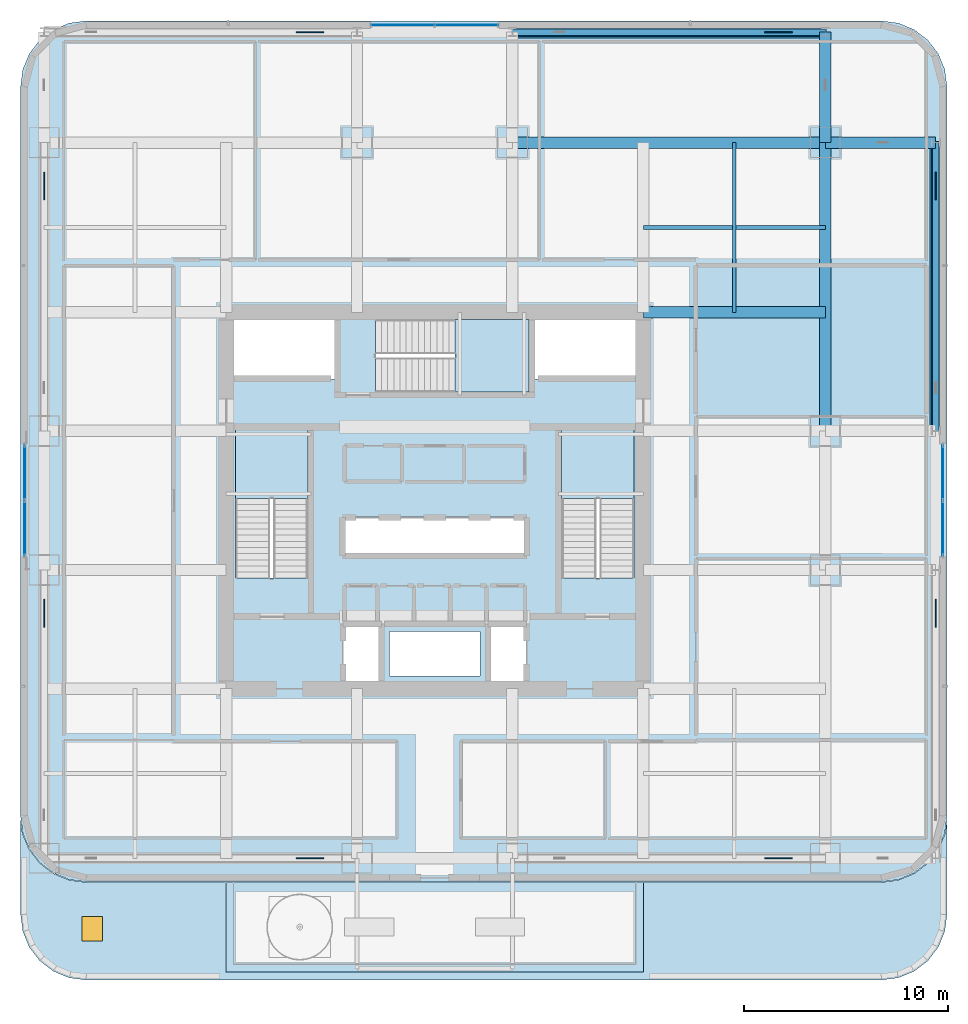
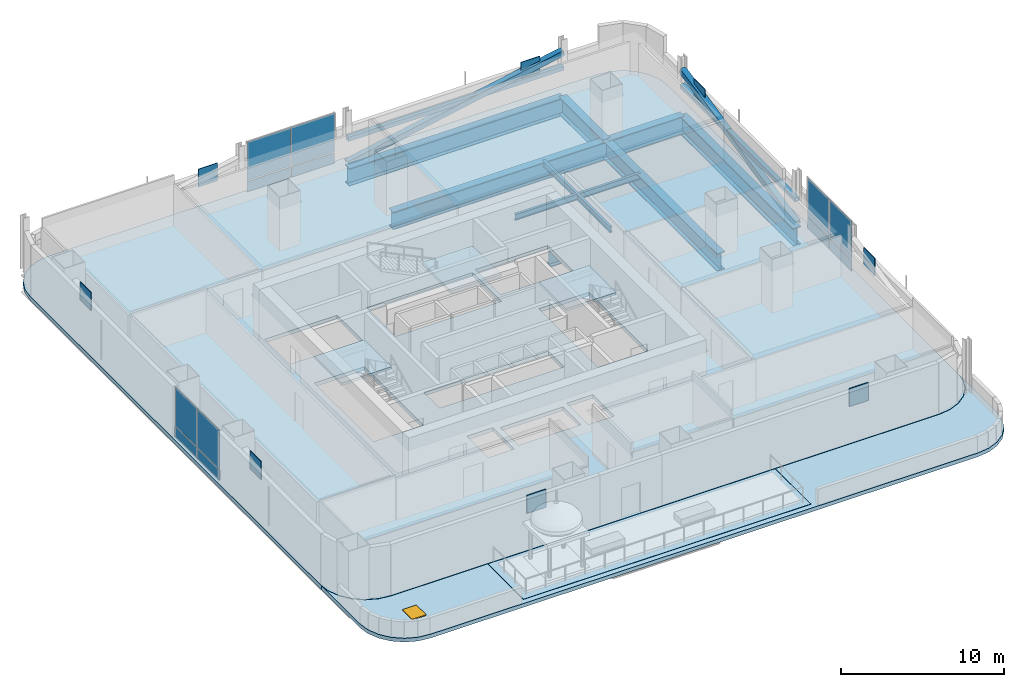
# One storey, part 7 of 28: 20 plates, 9 beams, 6 slabs, 4 members, 1 door, 1 opening, 6 elements without a shape of their own.
"""IFC4 building model written with IfcOpenShell, lengths in metres."""

from ifc_helpers import new_model, si_unit, direction, frame, origin, origin_2d, place, context, subcontext, project, spatial, polyline, rectangle, hollow_rectangle, i_section, outline, extrude, material, layer, layer_set, material_profile, profile_set, type_object, element, fill, aggregate, save


model = new_model("IFC4")

# Units and contexts
model_context = context("Model", 3, precision=1e-05, world=origin(), true_north=direction((0.0, 1.0)))
body_context = subcontext(model_context, "Body", "Model", "MODEL_VIEW")
ifc_project = project(units=[si_unit("LENGTHUNIT", "METRE"), si_unit("AREAUNIT", "SQUARE_METRE"), si_unit("VOLUMEUNIT", "CUBIC_METRE"), si_unit("PLANEANGLEUNIT", "RADIAN"), si_unit("MASSUNIT", "GRAM", prefix="KILO")], contexts=[model_context])

# Site, building, storey
site_placement = place(None, origin())
site = spatial("IfcSite", under=ifc_project, at=site_placement, CompositionType="ELEMENT")
building_placement = place(site_placement, origin())
building = spatial("IfcBuilding", under=site, at=building_placement, Name="Punatoya Terracotta Tower", CompositionType="ELEMENT")
storey_placement = place(building_placement, frame((0.0, 0.0, 93.0)))
storey = spatial("IfcBuildingStorey", under=building, at=storey_placement, Name="L21", CompositionType="ELEMENT", Elevation=93.0)

# Beams
ifc_material_1 = material(Name="Steel S355", Category="steel")
ifc_material_profile_1 = material_profile(ifc_material_1, i_section(OverallWidth=0.18994140625, OverallDepth=0.449951171875, WebThickness=0.009521484375, FlangeThickness=0.0146484375, FilletRadius=0.01806640625, at=origin_2d()))
ifc_profile_set_1 = profile_set([ifc_material_profile_1], Name="Steel S355")
beam_type_1 = type_object("IfcBeamType", Name="BM-SEC-450", PredefinedType="JOIST", material=ifc_profile_set_1)
beam_1_placement = place(storey_placement, frame((10.199951171875, 13.35009765625, -0.5048828125), z_axis=(1.0, 0.0, 0.0), x_axis=(0.0, 1.0, 0.0)))
element("IfcBeam", 1, at=beam_1_placement, inside=storey, type_object=beam_type_1, Name="BM-L21-SJN-2", PredefinedType="JOIST", context=body_context, shape_type="SweptSolid", body=[
    extrude(i_section(OverallWidth=0.18994140625, OverallDepth=0.449951171875, WebThickness=0.009521484375, FlangeThickness=0.0146484375, FilletRadius=0.01806640625, at=origin_2d()), origin(), (0.0, 0.0, 1.0), 8.900146484375),
])
beam_2_placement = place(storey_placement, frame((14.64990234375, 9.199951171875, -0.5048828125), z_axis=(0.0, 1.0, 0.0), x_axis=(-1.0, 0.0, 0.0)))
element("IfcBeam", 2, at=beam_2_placement, inside=storey, type_object=beam_type_1, Name="BM-L21-SJE-2", PredefinedType="JOIST", context=body_context, shape_type="SweptSolid", body=[
    extrude(i_section(OverallWidth=0.18994140625, OverallDepth=0.449951171875, WebThickness=0.009521484375, FlangeThickness=0.0146484375, FilletRadius=0.01806640625, at=origin_2d()), origin(), (0.0, 0.0, 1.0), 8.300048828125),
])
ifc_material_2 = material(Name="Steel S460", Category="steel")
ifc_material_profile_2 = material_profile(ifc_material_2, i_section(OverallWidth=0.56005859375, OverallDepth=1.320068359375, WebThickness=0.035888671875, FlangeThickness=0.054931640625, FilletRadius=0.01806640625, at=origin_2d()))
ifc_profile_set_2 = profile_set([ifc_material_profile_2], Name="Steel S460")
beam_type_2 = type_object("IfcBeamType", Name="BM-TG-BLK", PredefinedType="BEAM", material=ifc_profile_set_2)
beam_3_placement = place(storey_placement, frame((3.800048828125, 17.5, -0.93994140625), z_axis=(1.0, 0.0, 0.0), x_axis=(0.0, 1.0, 0.0)))
element("IfcBeam", 3, at=beam_3_placement, inside=storey, type_object=beam_type_2, Name="BM-L21-RG-N3", PredefinedType="BEAM", context=body_context, shape_type="SweptSolid", body=[
    extrude(i_section(OverallWidth=0.56005859375, OverallDepth=1.320068359375, WebThickness=0.035888671875, FlangeThickness=0.054931640625, FilletRadius=0.01806640625, at=origin_2d()), origin(), (0.0, 0.0, 1.0), 15.300048828125),
])
beam_4_placement = place(storey_placement, frame((19.10009765625, 3.39990234375, -0.93994140625), z_axis=(0.0, 1.0, 0.0), x_axis=(-1.0, 0.0, 0.0)))
element("IfcBeam", 4, at=beam_4_placement, inside=storey, type_object=beam_type_2, Name="BM-L21-RG-E3", PredefinedType="BEAM", context=body_context, shape_type="SweptSolid", body=[
    extrude(i_section(OverallWidth=0.56005859375, OverallDepth=1.320068359375, WebThickness=0.035888671875, FlangeThickness=0.054931640625, FilletRadius=0.01806640625, at=origin_2d()), origin(), (0.0, 0.0, 1.0), 14.10009765625),
])
beam_5_placement = place(storey_placement, frame((10.199951171875, 9.199951171875, -0.93994140625), z_axis=(1.0, 0.0, 0.0), x_axis=(0.0, 1.0, 0.0)))
element("IfcBeam", 5, at=beam_5_placement, inside=storey, type_object=beam_type_2, Name="BM-L21-PR-EN", PredefinedType="BEAM", context=body_context, shape_type="SweptSolid", body=[
    extrude(i_section(OverallWidth=0.56005859375, OverallDepth=1.320068359375, WebThickness=0.035888671875, FlangeThickness=0.054931640625, FilletRadius=0.01806640625, at=origin_2d()), origin(), (0.0, 0.0, 1.0), 8.900146484375),
])
for number, where, z_axis, x_axis, name in (
    (6, (19.10009765625, 17.5, -0.93994140625), (1.0, 0.0, 0.0), (0.0, 1.0, 0.0), "BM-L21-CANT-E4"),
    (7, (19.10009765625, 17.5, -0.93994140625), (0.0, 1.0, 0.0), (-1.0, 0.0, 0.0), "BM-L21-CANT-N4"),
):
    element("IfcBeam", number, at=place(storey_placement, frame(where, z_axis=z_axis, x_axis=x_axis)), inside=storey, type_object=beam_type_2, Name=name, PredefinedType="BEAM", context=body_context, shape_type="SweptSolid", body=[
        extrude(i_section(OverallWidth=0.56005859375, OverallDepth=1.320068359375, WebThickness=0.035888671875, FlangeThickness=0.054931640625, FilletRadius=0.01806640625, at=origin_2d()), origin(), (0.0, 0.0, 1.0), 5.39990234375),
    ])
beam_6_placement = place(storey_placement, frame((3.800048828125, 22.89990234375, -0.93994140625), z_axis=(1.0, 0.0, 0.0), x_axis=(0.0, 1.0, 0.0)))
element("IfcBeam", 8, at=beam_6_placement, inside=storey, type_object=beam_type_2, Name="BM-L21-PER-N3", PredefinedType="BEAM", context=body_context, shape_type="SweptSolid", body=[
    extrude(i_section(OverallWidth=0.56005859375, OverallDepth=1.320068359375, WebThickness=0.035888671875, FlangeThickness=0.054931640625, FilletRadius=0.01806640625, at=origin_2d()), origin(), (0.0, 0.0, 1.0), 15.300048828125),
])
beam_7_placement = place(storey_placement, frame((24.5, 3.39990234375, -0.93994140625), z_axis=(0.0, 1.0, 0.0), x_axis=(-1.0, 0.0, 0.0)))
element("IfcBeam", 9, at=beam_7_placement, inside=storey, type_object=beam_type_2, Name="BM-L21-PER-E3", PredefinedType="BEAM", context=body_context, shape_type="SweptSolid", body=[
    extrude(i_section(OverallWidth=0.56005859375, OverallDepth=1.320068359375, WebThickness=0.035888671875, FlangeThickness=0.054931640625, FilletRadius=0.01806640625, at=origin_2d()), origin(), (0.0, 0.0, 1.0), 14.10009765625),
])

# Members
ifc_material_profile_3 = material_profile(ifc_material_2, hollow_rectangle(XDim=0.320068359375, YDim=0.320068359375, WallThickness=0.01806640625, at=origin_2d()))
ifc_profile_set_3 = profile_set([ifc_material_profile_3], Name="Steel S460")
member_type_1 = type_object("IfcMemberType", Name="MEM-CHD-320", PredefinedType="CHORD", material=ifc_profile_set_3)
member_1_placement = place(storey_placement, frame((3.800048828125, 22.89990234375, 1.85009765625), z_axis=(1.0, 0.0, 0.0), x_axis=(0.0, 1.0, 0.0)))
element("IfcMember", 10, at=member_1_placement, inside=storey, type_object=member_type_1, Name="L21 Exoskeleton Belt Truss Tie Chord N3", PredefinedType="CHORD", context=body_context, shape_type="SweptSolid", body=[
    extrude(hollow_rectangle(XDim=0.320068359375, YDim=0.320068359375, WallThickness=0.01806640625, at=origin_2d()), origin(), (0.0, 0.0, 1.0), 15.300048828125),
])
member_2_placement = place(storey_placement, frame((24.5, 3.39990234375, 1.85009765625), z_axis=(0.0, 1.0, 0.0), x_axis=(-1.0, 0.0, 0.0)))
element("IfcMember", 11, at=member_2_placement, inside=storey, type_object=member_type_1, Name="L21 Exoskeleton Belt Truss Tie Chord E3", PredefinedType="CHORD", context=body_context, shape_type="SweptSolid", body=[
    extrude(hollow_rectangle(XDim=0.320068359375, YDim=0.320068359375, WallThickness=0.01806640625, at=origin_2d()), origin(), (0.0, 0.0, 1.0), 14.10009765625),
])
ifc_material_profile_4 = material_profile(ifc_material_2, hollow_rectangle(XDim=0.39990234375, YDim=0.39990234375, WallThickness=0.02197265625, at=origin_2d()))
ifc_profile_set_4 = profile_set([ifc_material_profile_4], Name="Steel S460")
member_type_2 = type_object("IfcMemberType", Name="MEM-EXO-400", PredefinedType="BRACE", material=ifc_profile_set_4)
member_3_placement = place(storey_placement, frame((3.800048828125, 22.89990234375, 0.02001953125), z_axis=(0.981434908309, 0.0, 0.191795518072), x_axis=(0.0, 1.0, 0.0)))
element("IfcMember", 12, at=member_3_placement, inside=storey, type_object=member_type_2, Name="L21 Exoskeleton Belt Brace N3", PredefinedType="BRACE", context=body_context, shape_type="SweptSolid", body=[
    extrude(hollow_rectangle(XDim=0.39990234375, YDim=0.39990234375, WallThickness=0.02197265625, at=origin_2d()), origin(), (0.0, 0.0, 1.0), 15.58935546875),
])
member_4_placement = place(storey_placement, frame((24.5, 3.39990234375, 0.02001953125), z_axis=(0.0, 0.978247355132, 0.207441828415), x_axis=(-1.0, 0.0, 0.0)))
element("IfcMember", 13, at=member_4_placement, inside=storey, type_object=member_type_2, Name="L21 Exoskeleton Belt Brace E3", PredefinedType="BRACE", context=body_context, shape_type="SweptSolid", body=[
    extrude(hollow_rectangle(XDim=0.39990234375, YDim=0.39990234375, WallThickness=0.02197265625, at=origin_2d()), origin(), (0.0, 0.0, 1.0), 14.41357421875),
])

# Curtain wall, plates
ifc_material_3 = material(Name="Aluminium 6063-T6 + Double Low-E Glass", Category="aluminium")
curtain_wall_type = type_object("IfcCurtainWallType", Name="CW-M1", PredefinedType="NOTDEFINED", material=ifc_material_3)
curtain_wall_1_placement = place(storey_placement, origin())
curtain_wall_1 = element("IfcCurtainWall", 14, at=curtain_wall_1_placement, inside=storey, type_object=curtain_wall_type, Name="L21 Curtain Wall CW-L21-E05-1", PredefinedType="NOTDEFINED")
ifc_material_4 = material(Name="Double Low-E Clear Vision Glass", Category="glass")
ifc_layer_1 = layer(ifc_material_4, 0.028076171875)
ifc_layer_set_1 = layer_set([ifc_layer_1], Name="Double Low-E Clear Vision Glass")
plate_type_1 = type_object("IfcPlateType", Name="PLT-GLZ-28", PredefinedType="CURTAIN_PANEL", material=ifc_layer_set_1)
plate_1_placement = place(storey_placement, frame((24.85009765625, -1.375, 0.89013671875), z_axis=(0.0, 0.0, 1.0), x_axis=(0.0, 1.0, 0.0)))
plate_1 = element("IfcPlate", 15, at=plate_1_placement, type_object=plate_type_1, Name="CW-L21-E05-1 Vision Glass Panel 1", PredefinedType="CURTAIN_PANEL", context=body_context, shape_type="SweptSolid", body=[
    extrude(rectangle(XDim=2.6650390625, YDim=0.028076171875, at=origin_2d()), origin(), (0.0, 0.0, 1.0), 2.8798828125),
])
plate_2_placement = place(storey_placement, frame((24.85009765625, 1.375, 0.89013671875), z_axis=(0.0, 0.0, 1.0), x_axis=(0.0, 1.0, 0.0)))
plate_2 = element("IfcPlate", 16, at=plate_2_placement, type_object=plate_type_1, Name="CW-L21-E05-1 Vision Glass Panel 2", PredefinedType="CURTAIN_PANEL", context=body_context, shape_type="SweptSolid", body=[
    extrude(rectangle(XDim=2.6650390625, YDim=0.028076171875, at=origin_2d()), origin(), (0.0, 0.0, 1.0), 2.8798828125),
])

curtain_wall_2_placement = place(storey_placement, origin())
curtain_wall_2 = element("IfcCurtainWall", 17, at=curtain_wall_2_placement, inside=storey, type_object=curtain_wall_type, Name="L21 Curtain Wall CW-L21-N09-1", PredefinedType="NOTDEFINED")
plate_3_placement = place(storey_placement, frame((1.574951171875, 23.25, 0.89013671875), z_axis=(0.0, 0.0, 1.0), x_axis=(-1.0, 0.0, 0.0)))
plate_3 = element("IfcPlate", 18, at=plate_3_placement, type_object=plate_type_1, Name="CW-L21-N09-1 Vision Glass Panel 1", PredefinedType="CURTAIN_PANEL", context=body_context, shape_type="SweptSolid", body=[
    extrude(rectangle(XDim=3.06494140625, YDim=0.028076171875, at=origin_2d()), origin(), (0.0, 0.0, 1.0), 2.8798828125),
])
plate_4_placement = place(storey_placement, frame((-1.574951171875, 23.25, 0.89013671875), z_axis=(0.0, 0.0, 1.0), x_axis=(-1.0, 0.0, 0.0)))
plate_4 = element("IfcPlate", 19, at=plate_4_placement, type_object=plate_type_1, Name="CW-L21-N09-1 Vision Glass Panel 2", PredefinedType="CURTAIN_PANEL", context=body_context, shape_type="SweptSolid", body=[
    extrude(rectangle(XDim=3.06494140625, YDim=0.028076171875, at=origin_2d()), origin(), (0.0, 0.0, 1.0), 2.8798828125),
])

curtain_wall_3_placement = place(storey_placement, origin())
curtain_wall_3 = element("IfcCurtainWall", 20, at=curtain_wall_3_placement, inside=storey, type_object=curtain_wall_type, Name="L21 Curtain Wall CW-L21-W13-1", PredefinedType="NOTDEFINED")
plate_5_placement = place(storey_placement, frame((-20.050048828125, 1.375, 0.89013671875), z_axis=(0.0, 0.0, 1.0), x_axis=(0.0, -1.0, 0.0)))
plate_5 = element("IfcPlate", 21, at=plate_5_placement, type_object=plate_type_1, Name="CW-L21-W13-1 Vision Glass Panel 1", PredefinedType="CURTAIN_PANEL", context=body_context, shape_type="SweptSolid", body=[
    extrude(rectangle(XDim=2.6650390625, YDim=0.028076171875, at=origin_2d()), origin(), (0.0, 0.0, 1.0), 2.8798828125),
])
plate_6_placement = place(storey_placement, frame((-20.050048828125, -1.375, 0.89013671875), z_axis=(0.0, 0.0, 1.0), x_axis=(0.0, -1.0, 0.0)))
plate_6 = element("IfcPlate", 22, at=plate_6_placement, type_object=plate_type_1, Name="CW-L21-W13-1 Vision Glass Panel 2", PredefinedType="CURTAIN_PANEL", context=body_context, shape_type="SweptSolid", body=[
    extrude(rectangle(XDim=2.6650390625, YDim=0.028076171875, at=origin_2d()), origin(), (0.0, 0.0, 1.0), 2.8798828125),
])

# Plates
ifc_layer_2 = layer(ifc_material_2, 0.050048828125)
ifc_layer_set_2 = layer_set([ifc_layer_2], Name="Steel S460")
plate_type_2 = type_object("IfcPlateType", Name="PLT-GUS-50", PredefinedType="USERDEFINED", material=ifc_layer_set_2)
for number, where, z_axis, x_axis, name in (
    (23, (-6.094970703125, -17.5, 1.886474609375), (0.0, 0.0, 1.0), (1.0, 0.0, 0.0), "L21 Exoskeleton Node Gusset Plate S1"),
    (24, (16.804931640625, -17.5, 1.886474609375), (0.0, 0.0, 1.0), (1.0, 0.0, 0.0), "L21 Exoskeleton Node Gusset Plate S3"),
    (25, (-6.094970703125, 22.89990234375, 1.886474609375), (0.0, 0.0, 1.0), (1.0, 0.0, 0.0), "L21 Exoskeleton Node Gusset Plate N1"),
    (26, (16.804931640625, 22.89990234375, 1.886474609375), (0.0, 0.0, 1.0), (1.0, 0.0, 0.0), "L21 Exoskeleton Node Gusset Plate N3"),
    (27, (-19.10009765625, -5.514892578125, 1.886474609375), (0.0, 0.0, 1.0), (0.0, 1.0, 0.0), "L21 Exoskeleton Node Gusset Plate W1"),
    (28, (-19.10009765625, 15.385009765625, 1.886474609375), (0.0, 0.0, 1.0), (0.0, 1.0, 0.0), "L21 Exoskeleton Node Gusset Plate W3"),
    (29, (24.5, -5.514892578125, 1.886474609375), (0.0, 0.0, 1.0), (0.0, 1.0, 0.0), "L21 Exoskeleton Node Gusset Plate E1"),
    (30, (24.5, 15.385009765625, 1.886474609375), (0.0, 0.0, 1.0), (0.0, 1.0, 0.0), "L21 Exoskeleton Node Gusset Plate E3"),
):
    element("IfcPlate", number, at=place(storey_placement, frame(where, z_axis=z_axis, x_axis=x_axis)), inside=storey, type_object=plate_type_2, Name=name, ObjectType="GUSSET_PLATE", PredefinedType="USERDEFINED", context=body_context, shape_type="SweptSolid", body=[
        extrude(rectangle(XDim=1.35009765625, YDim=0.050048828125, at=origin_2d()), origin(), (0.0, 0.0, 1.0), 1.35009765625),
    ])

# Plate
ifc_material_5 = material(Name="Insulated Terracotta-Backed Spandrel Panel", Category="masonry")
ifc_layer_3 = layer(ifc_material_5, 0.044921875)
ifc_layer_set_3 = layer_set([ifc_layer_3], Name="Insulated Terracotta-Backed Spandrel Panel")
plate_type_3 = type_object("IfcPlateType", Name="PLT-SPN-45", PredefinedType="CURTAIN_PANEL", material=ifc_layer_set_3)
plate_7_placement = place(storey_placement, frame((24.85009765625, -1.375, 0.0400390625), z_axis=(0.0, 0.0, 1.0), x_axis=(0.0, 1.0, 0.0)))
plate_7 = element("IfcPlate", 31, at=plate_7_placement, type_object=plate_type_3, Name="CW-L21-E05-1 Terracotta Spandrel Panel 1", PredefinedType="CURTAIN_PANEL", context=body_context, shape_type="SweptSolid", body=[
    extrude(rectangle(XDim=2.6650390625, YDim=0.044921875, at=origin_2d()), origin(), (0.0, 0.0, 1.0), 0.77490234375),
])

plate_8_placement = place(storey_placement, frame((24.85009765625, 1.375, 0.0400390625), z_axis=(0.0, 0.0, 1.0), x_axis=(0.0, 1.0, 0.0)))
plate_8 = element("IfcPlate", 32, at=plate_8_placement, type_object=plate_type_3, Name="CW-L21-E05-1 Terracotta Spandrel Panel 2", PredefinedType="CURTAIN_PANEL", context=body_context, shape_type="SweptSolid", body=[
    extrude(rectangle(XDim=2.6650390625, YDim=0.044921875, at=origin_2d()), origin(), (0.0, 0.0, 1.0), 0.77490234375),
])

aggregate(curtain_wall_1, [plate_7, plate_1, plate_8, plate_2])

plate_9_placement = place(storey_placement, frame((1.574951171875, 23.25, 0.0400390625), z_axis=(0.0, 0.0, 1.0), x_axis=(-1.0, 0.0, 0.0)))
plate_9 = element("IfcPlate", 33, at=plate_9_placement, type_object=plate_type_3, Name="CW-L21-N09-1 Terracotta Spandrel Panel 1", PredefinedType="CURTAIN_PANEL", context=body_context, shape_type="SweptSolid", body=[
    extrude(rectangle(XDim=3.06494140625, YDim=0.044921875, at=origin_2d()), origin(), (0.0, 0.0, 1.0), 0.77490234375),
])

plate_10_placement = place(storey_placement, frame((-1.574951171875, 23.25, 0.0400390625), z_axis=(0.0, 0.0, 1.0), x_axis=(-1.0, 0.0, 0.0)))
plate_10 = element("IfcPlate", 34, at=plate_10_placement, type_object=plate_type_3, Name="CW-L21-N09-1 Terracotta Spandrel Panel 2", PredefinedType="CURTAIN_PANEL", context=body_context, shape_type="SweptSolid", body=[
    extrude(rectangle(XDim=3.06494140625, YDim=0.044921875, at=origin_2d()), origin(), (0.0, 0.0, 1.0), 0.77490234375),
])

aggregate(curtain_wall_2, [plate_9, plate_3, plate_10, plate_4])

plate_11_placement = place(storey_placement, frame((-20.050048828125, 1.375, 0.0400390625), z_axis=(0.0, 0.0, 1.0), x_axis=(0.0, -1.0, 0.0)))
plate_11 = element("IfcPlate", 35, at=plate_11_placement, type_object=plate_type_3, Name="CW-L21-W13-1 Terracotta Spandrel Panel 1", PredefinedType="CURTAIN_PANEL", context=body_context, shape_type="SweptSolid", body=[
    extrude(rectangle(XDim=2.6650390625, YDim=0.044921875, at=origin_2d()), origin(), (0.0, 0.0, 1.0), 0.77490234375),
])

plate_12_placement = place(storey_placement, frame((-20.050048828125, -1.375, 0.0400390625), z_axis=(0.0, 0.0, 1.0), x_axis=(0.0, -1.0, 0.0)))
plate_12 = element("IfcPlate", 36, at=plate_12_placement, type_object=plate_type_3, Name="CW-L21-W13-1 Terracotta Spandrel Panel 2", PredefinedType="CURTAIN_PANEL", context=body_context, shape_type="SweptSolid", body=[
    extrude(rectangle(XDim=2.6650390625, YDim=0.044921875, at=origin_2d()), origin(), (0.0, 0.0, 1.0), 0.77490234375),
])

aggregate(curtain_wall_3, [plate_11, plate_5, plate_12, plate_6])

# Stair, slab
ifc_material_6 = material(Name="Concrete C40/50", Category="concrete")
stair_type_1 = type_object("IfcStairType", Name="STR-TER-1450", PredefinedType="HALF_TURN_STAIR", material=ifc_material_6)
stair_1_placement = place(storey_placement, origin())
stair_1 = element("IfcStair", 37, at=stair_1_placement, inside=storey, type_object=stair_type_1, Name="L21 Protected Core Exit Stair ST-3", PredefinedType="HALF_TURN_STAIR")
ifc_layer_4 = layer(ifc_material_6, 0.1650390625)
ifc_layer_set_4 = layer_set([ifc_layer_4], Name="Concrete C40/50")
slab_type_1 = type_object("IfcSlabType", Name="SLB-LND-165", PredefinedType="LANDING", material=ifc_layer_set_4)
slab_1_placement = place(storey_placement, frame((0.0, 0.0, 1.824951171875)))
slab_1 = element("IfcSlab", 38, at=slab_1_placement, type_object=slab_type_1, Name="ST-3 landing 1", PredefinedType="LANDING", context=body_context, shape_type="SweptSolid", body=[
    extrude(outline(polyline([(1.0, 5.300048828125), (4.60009765625, 5.300048828125), (4.60009765625, 8.85009765625), (1.0, 8.85009765625), (1.0, 5.300048828125)])), origin(), (0.0, 0.0, 1.0), 0.199951171875),
])
aggregate(stair_1, [slab_1])

stair_type_2 = type_object("IfcStairType", Name="STR-CORE-1550", PredefinedType="HALF_TURN_STAIR", material=ifc_material_6)
stair_2_placement = place(storey_placement, origin())
stair_2 = element("IfcStair", 39, at=stair_2_placement, inside=storey, type_object=stair_type_2, Name="L21 Protected Core Exit Stair ST-1", PredefinedType="HALF_TURN_STAIR")
ifc_layer_5 = layer(ifc_material_6, 0.179931640625)
ifc_layer_set_5 = layer_set([ifc_layer_5], Name="Concrete C40/50")
slab_type_2 = type_object("IfcSlabType", Name="SLB-LND-180", PredefinedType="LANDING", material=ifc_layer_set_5)
slab_2_placement = place(storey_placement, frame((0.0, 0.0, 1.824951171875)))
slab_2 = element("IfcSlab", 40, at=slab_2_placement, type_object=slab_type_2, Name="ST-1 landing 1", PredefinedType="LANDING", context=body_context, shape_type="SweptSolid", body=[
    extrude(outline(polyline([(-6.199951171875, 0.10009765625), (-6.199951171875, 3.449951171875), (-9.75, 3.449951171875), (-9.75, 0.10009765625), (-6.199951171875, 0.10009765625)])), origin(), (0.0, 0.0, 1.0), 0.199951171875),
])
aggregate(stair_2, [slab_2])

stair_type_3 = type_object("IfcStairType", Name="STR-LOB-1650", PredefinedType="HALF_TURN_STAIR", material=ifc_material_6)
stair_3_placement = place(storey_placement, origin())
stair_3 = element("IfcStair", 41, at=stair_3_placement, inside=storey, type_object=stair_type_3, Name="L21 Protected Core Exit Stair ST-2", PredefinedType="HALF_TURN_STAIR")
slab_3_placement = place(storey_placement, frame((0.0, 0.0, 1.824951171875)))
slab_3 = element("IfcSlab", 42, at=slab_3_placement, type_object=slab_type_2, Name="ST-2 landing 1", PredefinedType="LANDING", context=body_context, shape_type="SweptSolid", body=[
    extrude(outline(polyline([(9.75, 0.10009765625), (9.75, 3.449951171875), (6.199951171875, 3.449951171875), (6.199951171875, 0.10009765625), (9.75, 0.10009765625)])), origin(), (0.0, 0.0, 1.0), 0.199951171875),
])
aggregate(stair_3, [slab_3])

# Slab
ifc_layer_6 = layer(ifc_material_6, 0.280029296875)
ifc_layer_set_6 = layer_set([ifc_layer_6], Name="Concrete C40/50")
slab_type_3 = type_object("IfcSlabType", Name="SLB-POD-280", PredefinedType="FLOOR", material=ifc_layer_set_6)
slab_4_placement = place(storey_placement, frame((0.0, 0.0, -0.280029296875)))
element("IfcSlab", 43, at=slab_4_placement, inside=storey, type_object=slab_type_3, Name="L21 Structural Floor Slab", PredefinedType="FLOOR", context=body_context, shape_type="SweptSolid", body=[
    extrude(outline(polyline([(-17.050048828125, -18.64990234375), (-17.878173828125, -18.541015625), (-18.64990234375, -18.22119140625), (-19.312744140625, -17.712646484375), (-19.8212890625, -17.050048828125), (-20.14111328125, -16.2783203125), (-20.25, -15.449951171875), (-20.25, 20.25), (-20.14111328125, 21.078125), (-19.8212890625, 21.85009765625), (-19.312744140625, 22.5126953125), (-18.64990234375, 23.021240234375), (-17.878173828125, 23.341064453125), (-17.050048828125, 23.449951171875), (21.85009765625, 23.449951171875), (22.67822265625, 23.341064453125), (23.449951171875, 23.021240234375), (24.11279296875, 22.5126953125), (24.621337890625, 21.85009765625), (24.94091796875, 21.078125), (25.050048828125, 20.25), (25.050048828125, -15.449951171875), (24.94091796875, -16.2783203125), (24.621337890625, -17.050048828125), (24.11279296875, -17.712646484375), (23.449951171875, -18.22119140625), (22.67822265625, -18.541015625), (21.85009765625, -18.64990234375), (-17.050048828125, -18.64990234375)]), holes=[polyline([(-2.6298828125, -6.179931640625), (-4.469970703125, -6.179931640625), (-4.469970703125, -8.820068359375), (-2.6298828125, -8.820068359375), (-2.6298828125, -6.179931640625)]), polyline([(0.02001953125, -8.594970703125), (2.219970703125, -8.594970703125), (2.219970703125, -6.405029296875), (0.02001953125, -6.405029296875), (-0.02001953125, -6.405029296875), (-2.219970703125, -6.405029296875), (-2.219970703125, -8.594970703125), (-0.02001953125, -8.594970703125), (0.02001953125, -8.594970703125)]), polyline([(-2.219970703125, -2.719970703125), (-2.179931640625, -2.719970703125), (-0.02001953125, -2.719970703125), (0.02001953125, -2.719970703125), (2.179931640625, -2.719970703125), (2.219970703125, -2.719970703125), (4.419921875, -2.719970703125), (4.419921875, -0.780029296875), (2.219970703125, -0.780029296875), (2.179931640625, -0.780029296875), (0.02001953125, -0.780029296875), (-0.02001953125, -0.780029296875), (-2.179931640625, -0.780029296875), (-2.219970703125, -0.780029296875), (-4.419921875, -0.780029296875), (-4.419921875, -2.719970703125), (-2.219970703125, -2.719970703125)]), polyline([(-6.199951171875, 3.449951171875), (-9.75, 3.449951171875), (-9.75, -3.79931640625), (-6.199951171875, -3.79931640625), (-6.199951171875, 3.449951171875)]), polyline([(4.60009765625, 5.300048828125), (4.60009765625, 8.85009765625), (-2.899169921875, 8.85009765625), (-2.899169921875, 5.300048828125), (4.60009765625, 5.300048828125)]), polyline([(-4.89990234375, 9.050048828125), (-10.050048828125, 9.050048828125), (-10.050048828125, 5.949951171875), (-4.89990234375, 5.949951171875), (-4.89990234375, 9.050048828125)]), polyline([(4.469970703125, -8.820068359375), (4.469970703125, -6.179931640625), (2.6298828125, -6.179931640625), (2.6298828125, -8.820068359375), (4.469970703125, -8.820068359375)]), polyline([(9.75, 3.449951171875), (6.199951171875, 3.449951171875), (6.199951171875, -3.79931640625), (9.75, -3.79931640625), (9.75, 3.449951171875)]), polyline([(10.050048828125, 5.949951171875), (10.050048828125, 9.050048828125), (4.89990234375, 9.050048828125), (4.89990234375, 5.949951171875), (10.050048828125, 5.949951171875)])]), origin(), (0.0, 0.0, 1.0), 0.280029296875),
])

# Slab, opening, door
ifc_layer_7 = layer(ifc_material_6, 0.280029296875)
ifc_layer_set_7 = layer_set([ifc_layer_7], Name="Concrete C40/50")
slab_type_4 = type_object("IfcSlabType", Name="SLB-ROF-280", PredefinedType="ROOF", material=ifc_layer_set_7)
slab_5_placement = place(storey_placement, frame((0.0, 0.0, -0.280029296875)))
slab_5 = element("IfcSlab", 44, at=slab_5_placement, inside=storey, type_object=slab_type_4, Name="L21 Junction Roof Slab 1 over L20 Plate", PredefinedType="ROOF", context=body_context, shape_type="SweptSolid", body=[
    extrude(outline(polyline([(24.621337890625, -21.85009765625), (24.94091796875, -21.078125), (25.050048828125, -20.25), (25.050048828125, -15.603271484375), (24.96044921875, -16.283447265625), (24.638916015625, -17.06005859375), (24.126953125, -17.72705078125), (23.460205078125, -18.23876953125), (22.683349609375, -18.560546875), (21.851318359375, -18.669921875), (10.219970703125, -18.669921875), (10.219970703125, -23.070068359375), (-10.219970703125, -23.070068359375), (-10.219970703125, -18.669921875), (-17.05126953125, -18.669921875), (-17.88330078125, -18.560546875), (-18.66015625, -18.23876953125), (-19.326904296875, -17.72705078125), (-19.8388671875, -17.06005859375), (-20.160400390625, -16.283447265625), (-20.25, -15.603271484375), (-20.25, -20.25), (-20.14111328125, -21.078125), (-19.8212890625, -21.85009765625), (-19.312744140625, -22.5126953125), (-18.64990234375, -23.021240234375), (-17.878173828125, -23.341064453125), (-17.050048828125, -23.449951171875), (21.85009765625, -23.449951171875), (22.67822265625, -23.341064453125), (23.449951171875, -23.021240234375), (24.11279296875, -22.5126953125), (24.621337890625, -21.85009765625)]), holes=[polyline([(-16.25, -20.35009765625), (-16.25, -21.550048828125), (-17.25, -21.550048828125), (-17.25, -20.35009765625), (-16.25, -20.35009765625)])]), origin(), (0.0, 0.0, 1.0), 0.280029296875),
])
opening_placement = place(slab_5_placement, frame((-16.75, -20.949951171875, 0.0)))
opening = element("IfcOpeningElement", 45, at=opening_placement, cuts=slab_5, Name="Opening RHT-1", PredefinedType="OPENING", context=body_context, shape_type="SweptSolid", body=[
    extrude(rectangle(XDim=1.0, YDim=1.199951171875, at=origin_2d()), frame((0.0, 0.0, -0.010009765625)), (0.0, 0.0, 1.0), 0.35009765625),
])
ifc_material_7 = material(Name="Insulated Aluminium Roof Hatch", Category="aluminium")
door_type = type_object("IfcDoorType", Name="DR-HTCH-1000", OperationType="NOTDEFINED", PredefinedType="TRAPDOOR", material=ifc_material_7)
door_placement = place(opening_placement, frame((0.0, 0.0, 0.280029296875)))
door = element("IfcDoor", 46, at=door_placement, inside=storey, type_object=door_type, Name="L21 Junction Roof Maintenance Hatch 1", OperationType="SINGLE_SWING_LEFT", OverallHeight=1.199951171875, OverallWidth=1.0, PredefinedType="TRAPDOOR", context=body_context, shape_type="SweptSolid", body=[
    extrude(rectangle(XDim=1.0, YDim=1.199951171875, at=origin_2d()), origin(), (0.0, 0.0, 1.0), 0.050048828125),
])
fill(opening, door)

# Slab
ifc_layer_8 = layer(ifc_material_6, 0.22998046875)
ifc_layer_set_8 = layer_set([ifc_layer_8], Name="Concrete C40/50")
slab_type_5 = type_object("IfcSlabType", Name="SLB-TER-230", PredefinedType="FLOOR", material=ifc_layer_set_8)
slab_6_placement = place(storey_placement, frame((0.0, 0.0, -0.22998046875)))
element("IfcSlab", 47, at=slab_6_placement, inside=storey, type_object=slab_type_5, Name="L21 Spiralling Sky Terrace", PredefinedType="FLOOR", context=body_context, shape_type="SweptSolid", body=[
    extrude(outline(polyline([(10.199951171875, -23.050048828125), (-10.199951171875, -23.050048828125), (-10.199951171875, -18.669921875), (10.199951171875, -18.669921875), (10.199951171875, -23.050048828125)])), origin(), (0.0, 0.0, 1.0), 0.22998046875),
])

save(model, "model.ifc")
